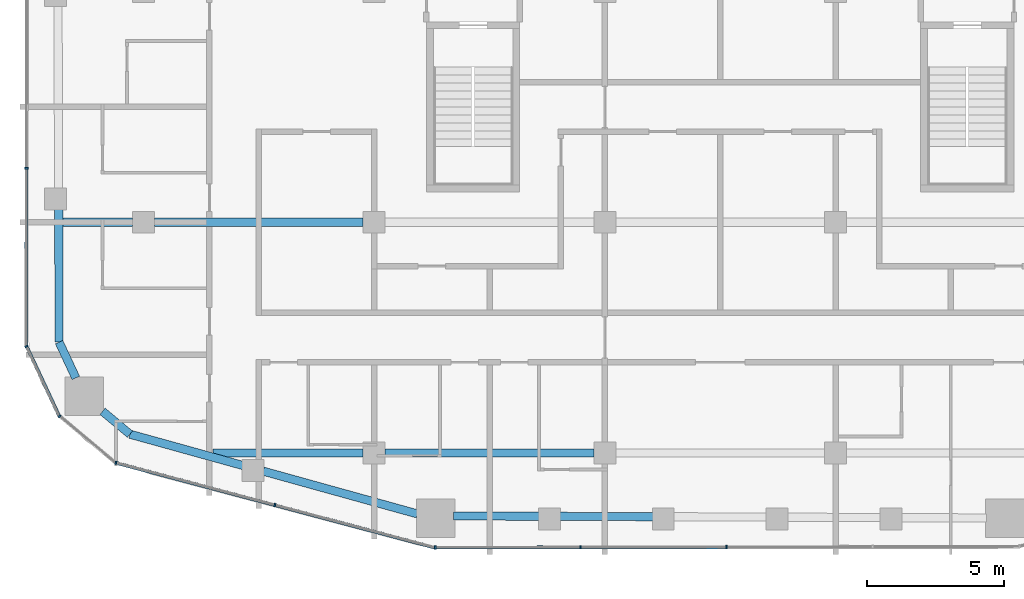
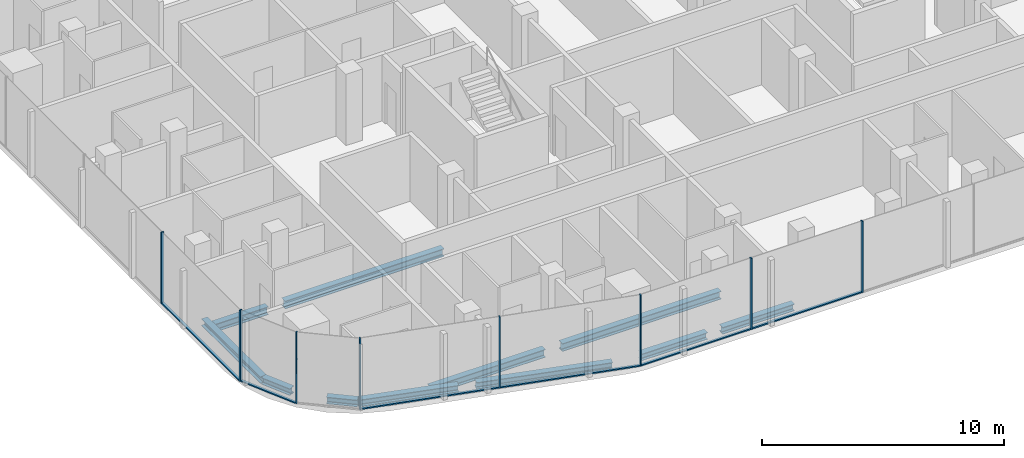
# One storey, part 2 of 22: 14 members, 11 beams, 5 elements without a shape of their own.
"""IFC4 building model written with IfcOpenShell, lengths in metres."""

from ifc_helpers import new_model, si_unit, direction, frame, origin, origin_2d, place, context, subcontext, project, spatial, rectangle, i_section, extrude, material, layer, layer_set, material_profile, profile_set, type_object, element, aggregate, save


model = new_model("IFC4")

# Units and contexts
model_context = context("Model", 3, precision=1e-05, world=origin(), true_north=direction((0.0, 1.0)))
body_context = subcontext(model_context, "Body", "Model", "MODEL_VIEW")
ifc_project = project(units=[si_unit("LENGTHUNIT", "METRE"), si_unit("AREAUNIT", "SQUARE_METRE"), si_unit("VOLUMEUNIT", "CUBIC_METRE"), si_unit("PLANEANGLEUNIT", "RADIAN"), si_unit("MASSUNIT", "GRAM", prefix="KILO")], contexts=[model_context])

# Site, building, storey
site_placement = place(None, origin())
site = spatial("IfcSite", under=ifc_project, at=site_placement, CompositionType="ELEMENT")
building_placement = place(site_placement, origin())
building = spatial("IfcBuilding", under=site, at=building_placement, Name="Marenta Gate Hotel Tower", CompositionType="ELEMENT")
storey_placement = place(building_placement, frame((0.0, 0.0, 187.699951171875)))
storey = spatial("IfcBuildingStorey", under=building, at=storey_placement, Name="L42", CompositionType="ELEMENT", Elevation=187.699951171875)

# Beams
ifc_material_1 = material(Name="Steel S355", Category="steel")
ifc_material_profile_1 = material_profile(ifc_material_1, i_section(OverallWidth=0.300048828125, OverallDepth=0.340087890625, WebThickness=0.011962890625, FlangeThickness=0.021484375, FilletRadius=0.027099609375, at=origin_2d()), Name="HEB 340")
ifc_profile_set_1 = profile_set([ifc_material_profile_1], Name="Steel S355")
beam_type_1 = type_object("IfcBeamType", Name="Edge beam HEB 340", PredefinedType="SPANDREL", material=ifc_profile_set_1)
beam_1_placement = place(storey_placement, frame((-11.02783203125, -27.42236328125, -0.429931640625), z_axis=(-0.963619240724, 0.267278803699, 0.0), x_axis=(-0.267278803699, -0.963619240724, 0.0)))
element("IfcBeam", 1, at=beam_1_placement, inside=storey, type_object=beam_type_1, Name="L42-EB-1", PredefinedType="SPANDREL", context=body_context, shape_type="SweptSolid", body=[
    extrude(i_section(OverallWidth=0.300048828125, OverallDepth=0.340087890625, WebThickness=0.011962890625, FlangeThickness=0.021484375, FilletRadius=0.027099609375, at=origin_2d()), origin(), (0.0, 0.0, 1.0), 5.82958984375),
])
beam_2_placement = place(storey_placement, frame((-17.3681640625, -25.663818359375, -0.429931640625), z_axis=(-0.963628037304, 0.267247087396, 0.0), x_axis=(-0.267247087396, -0.963628037304, 0.0)))
element("IfcBeam", 2, at=beam_2_placement, inside=storey, type_object=beam_type_1, Name="L42-EB-2", PredefinedType="SPANDREL", context=body_context, shape_type="SweptSolid", body=[
    extrude(i_section(OverallWidth=0.300048828125, OverallDepth=0.340087890625, WebThickness=0.011962890625, FlangeThickness=0.021484375, FilletRadius=0.027099609375, at=origin_2d()), origin(), (0.0, 0.0, 1.0), 4.284423828125),
])
beam_3_placement = place(storey_placement, frame((-21.496826171875, -24.518798828125, -0.429931640625), z_axis=(-0.767065103149, 0.641569269472, 0.0), x_axis=(-0.641569269472, -0.767065103149, 0.0)))
element("IfcBeam", 3, at=beam_3_placement, inside=storey, type_object=beam_type_1, Name="L42-EB-3", PredefinedType="SPANDREL", context=body_context, shape_type="SweptSolid", body=[
    extrude(i_section(OverallWidth=0.300048828125, OverallDepth=0.340087890625, WebThickness=0.011962890625, FlangeThickness=0.021484375, FilletRadius=0.027099609375, at=origin_2d()), origin(), (0.0, 0.0, 1.0), 1.299560546875),
])
beam_4_placement = place(storey_placement, frame((-23.466796875, -22.46923828125, -0.429931640625), z_axis=(-0.423341112024, 0.905970365338, 0.0), x_axis=(-0.905970365338, -0.423341112024, 0.0)))
element("IfcBeam", 4, at=beam_4_placement, inside=storey, type_object=beam_type_1, Name="L42-EB-4", PredefinedType="SPANDREL", context=body_context, shape_type="SweptSolid", body=[
    extrude(i_section(OverallWidth=0.300048828125, OverallDepth=0.340087890625, WebThickness=0.011962890625, FlangeThickness=0.021484375, FilletRadius=0.027099609375, at=origin_2d()), origin(), (0.0, 0.0, 1.0), 1.437255859375),
])
beam_5_placement = place(storey_placement, frame((-24.0751953125, -21.167236328125, -0.429931640625), z_axis=(-0.003318732666, 0.999994492992, 0.0), x_axis=(-0.999994492992, -0.003318732666, 0.0)))
element("IfcBeam", 5, at=beam_5_placement, inside=storey, type_object=beam_type_1, Name="L42-EB-5", PredefinedType="SPANDREL", context=body_context, shape_type="SweptSolid", body=[
    extrude(i_section(OverallWidth=0.300048828125, OverallDepth=0.340087890625, WebThickness=0.011962890625, FlangeThickness=0.021484375, FilletRadius=0.027099609375, at=origin_2d()), origin(), (0.0, 0.0, 1.0), 4.855224609375),
])
beam_6_placement = place(storey_placement, frame((-2.433349609375, -27.5234375, -0.429931640625), z_axis=(-0.999992599416, 0.003847221457, 0.0), x_axis=(-0.003847221457, -0.999992599416, 0.0)))
element("IfcBeam", 6, at=beam_6_placement, inside=storey, type_object=beam_type_1, Name="L42-EB-35", PredefinedType="SPANDREL", context=body_context, shape_type="SweptSolid", body=[
    extrude(i_section(OverallWidth=0.300048828125, OverallDepth=0.340087890625, WebThickness=0.011962890625, FlangeThickness=0.021484375, FilletRadius=0.027099609375, at=origin_2d()), origin(), (0.0, 0.0, 1.0), 3.4267578125),
])
beam_7_placement = place(storey_placement, frame((-6.580078125, -27.507568359375, -0.429931640625), z_axis=(-0.99999237665, 0.00390469495, 0.0), x_axis=(-0.00390469495, -0.99999237665, 0.0)))
element("IfcBeam", 7, at=beam_7_placement, inside=storey, type_object=beam_type_1, Name="L42-EB-36", PredefinedType="SPANDREL", context=body_context, shape_type="SweptSolid", body=[
    extrude(i_section(OverallWidth=0.300048828125, OverallDepth=0.340087890625, WebThickness=0.011962890625, FlangeThickness=0.021484375, FilletRadius=0.027099609375, at=origin_2d()), origin(), (0.0, 0.0, 1.0), 3.126220703125),
])
ifc_material_2 = material(Name="Steel S355", Category="steel")
ifc_material_profile_2 = material_profile(ifc_material_2, i_section(OverallWidth=0.300048828125, OverallDepth=0.39990234375, WebThickness=0.013427734375, FlangeThickness=0.02392578125, FilletRadius=0.027099609375, at=origin_2d()), Name="HEB 400")
ifc_profile_set_2 = profile_set([ifc_material_profile_2], Name="Steel S355")
beam_type_2 = type_object("IfcBeamType", Name="Girder HEB 400", PredefinedType="BEAM", material=ifc_profile_set_2)
beam_8_placement = place(storey_placement, frame((-18.479248046875, -25.199951171875, -0.4599609375), z_axis=(1.0, 0.0, 0.0), x_axis=(0.0, 1.0, 0.0)))
element("IfcBeam", 8, at=beam_8_placement, inside=storey, type_object=beam_type_2, Name="L42-GD-1", PredefinedType="BEAM", context=body_context, shape_type="SweptSolid", body=[
    extrude(i_section(OverallWidth=0.300048828125, OverallDepth=0.39990234375, WebThickness=0.013427734375, FlangeThickness=0.02392578125, FilletRadius=0.027099609375, at=origin_2d()), origin(), (0.0, 0.0, 1.0), 5.479248046875),
])
beam_9_placement = place(storey_placement, frame((-12.199951171875, -25.199951171875, -0.4599609375), z_axis=(1.0, 0.0, 0.0), x_axis=(0.0, 1.0, 0.0)))
element("IfcBeam", 9, at=beam_9_placement, inside=storey, type_object=beam_type_2, Name="L42-GD-2", PredefinedType="BEAM", context=body_context, shape_type="SweptSolid", body=[
    extrude(i_section(OverallWidth=0.300048828125, OverallDepth=0.39990234375, WebThickness=0.013427734375, FlangeThickness=0.02392578125, FilletRadius=0.027099609375, at=origin_2d()), origin(), (0.0, 0.0, 1.0), 7.599853515625),
])
beam_10_placement = place(storey_placement, frame((-23.939697265625, -16.800048828125, -0.4599609375), z_axis=(1.0, 0.0, 0.0), x_axis=(0.0, 1.0, 0.0)))
element("IfcBeam", 10, at=beam_10_placement, inside=storey, type_object=beam_type_2, Name="L42-GD-6", PredefinedType="BEAM", context=body_context, shape_type="SweptSolid", body=[
    extrude(i_section(OverallWidth=0.300048828125, OverallDepth=0.39990234375, WebThickness=0.013427734375, FlangeThickness=0.02392578125, FilletRadius=0.027099609375, at=origin_2d()), origin(), (0.0, 0.0, 1.0), 2.539794921875),
])
beam_11_placement = place(storey_placement, frame((-20.60009765625, -16.800048828125, -0.4599609375), z_axis=(1.0, 0.0, 0.0), x_axis=(0.0, 1.0, 0.0)))
element("IfcBeam", 11, at=beam_11_placement, inside=storey, type_object=beam_type_2, Name="L42-GD-7", PredefinedType="BEAM", context=body_context, shape_type="SweptSolid", body=[
    extrude(i_section(OverallWidth=0.300048828125, OverallDepth=0.39990234375, WebThickness=0.013427734375, FlangeThickness=0.02392578125, FilletRadius=0.027099609375, at=origin_2d()), origin(), (0.0, 0.0, 1.0), 7.60009765625),
])

# Curtain wall, member
ifc_material_3 = material(Name="Tinted insulated glass in bronze anodised frame", Category="glass")
ifc_layer = layer(ifc_material_3, 0.1201171875)
ifc_layer_set = layer_set([ifc_layer], Name="Tinted insulated glass in bronze anodised frame")
curtain_wall_type = type_object("IfcCurtainWallType", Name="Tower unitised curtain wall CW1", PredefinedType="NOTDEFINED", material=ifc_layer_set)
curtain_wall_1_placement = place(storey_placement, origin())
curtain_wall_1 = element("IfcCurtainWall", 12, at=curtain_wall_1_placement, inside=storey, type_object=curtain_wall_type, Name="CW1 run G03", PredefinedType="NOTDEFINED")
ifc_material_4 = material(Name="Bronze anodised aluminium", Category="aluminium")
ifc_material_profile_3 = material_profile(ifc_material_4, rectangle(XDim=0.1201171875, YDim=0.06005859375, at=origin_2d()), Name="Mullion CW1 60x120 bronze anodised aluminium")
ifc_profile_set_3 = profile_set([ifc_material_profile_3], Name="Bronze anodised aluminium")
member_type_1 = type_object("IfcMemberType", Name="Mullion CW1 60x120 bronze anodised aluminium", PredefinedType="MULLION", material=ifc_profile_set_3)
member_1_placement = place(storey_placement, frame((-25.262939453125, -14.833740234375, 0.0), z_axis=(0.0, 0.0, 1.0), x_axis=(0.99999877375, -0.001566045546, 0.0)))
member_1 = element("IfcMember", 13, at=member_1_placement, type_object=member_type_1, Name="CW1 mullion 6", PredefinedType="MULLION", context=body_context, shape_type="SweptSolid", body=[
    extrude(rectangle(XDim=0.1201171875, YDim=0.06005859375, at=origin_2d()), origin(), (0.0, 0.0, 1.0), 3.60009765625),
])

curtain_wall_2_placement = place(storey_placement, origin())
curtain_wall_2 = element("IfcCurtainWall", 14, at=curtain_wall_2_placement, inside=storey, type_object=curtain_wall_type, Name="CW1 run G04", PredefinedType="NOTDEFINED")
member_2_placement = place(storey_placement, frame((-25.26025390625, -21.321044921875, 0.0), z_axis=(0.0, 0.0, 1.0), x_axis=(0.905972194447, 0.42333719762, 0.0)))
member_2 = element("IfcMember", 15, at=member_2_placement, type_object=member_type_1, Name="CW1 mullion 1", PredefinedType="MULLION", context=body_context, shape_type="SweptSolid", body=[
    extrude(rectangle(XDim=0.1201171875, YDim=0.06005859375, at=origin_2d()), origin(), (0.0, 0.0, 1.0), 3.60009765625),
])

curtain_wall_3_placement = place(storey_placement, origin())
curtain_wall_3 = element("IfcCurtainWall", 16, at=curtain_wall_3_placement, inside=storey, type_object=curtain_wall_type, Name="CW1 run G05", PredefinedType="NOTDEFINED")
member_3_placement = place(storey_placement, frame((-24.059814453125, -23.85986328125, 0.0), z_axis=(0.0, 0.0, 1.0), x_axis=(0.641524739495, 0.767102345594, 0.0)))
member_3 = element("IfcMember", 17, at=member_3_placement, type_object=member_type_1, Name="CW1 mullion 1", PredefinedType="MULLION", context=body_context, shape_type="SweptSolid", body=[
    extrude(rectangle(XDim=0.1201171875, YDim=0.06005859375, at=origin_2d()), origin(), (0.0, 0.0, 1.0), 3.60009765625),
])
aggregate(curtain_wall_3, [member_3])

# Curtain wall, members
curtain_wall_4_placement = place(storey_placement, origin())
curtain_wall_4 = element("IfcCurtainWall", 18, at=curtain_wall_4_placement, inside=storey, type_object=curtain_wall_type, Name="CW1 run G06", PredefinedType="NOTDEFINED")
member_4_placement = place(storey_placement, frame((-22.00634765625, -25.560791015625, 0.0), z_axis=(0.0, 0.0, 1.0), x_axis=(0.257139197271, 0.966374375295, 0.0)))
member_4 = element("IfcMember", 19, at=member_4_placement, type_object=member_type_1, Name="CW1 mullion 1", PredefinedType="MULLION", context=body_context, shape_type="SweptSolid", body=[
    extrude(rectangle(XDim=0.1201171875, YDim=0.06005859375, at=origin_2d()), origin(), (0.0, 0.0, 1.0), 3.60009765625),
])
member_5_placement = place(storey_placement, frame((-16.220703125, -27.100341796875, 0.0), z_axis=(0.0, 0.0, 1.0), x_axis=(0.257139197271, 0.966374375295, 0.0)))
member_5 = element("IfcMember", 20, at=member_5_placement, type_object=member_type_1, Name="CW1 mullion 2", PredefinedType="MULLION", context=body_context, shape_type="SweptSolid", body=[
    extrude(rectangle(XDim=0.1201171875, YDim=0.06005859375, at=origin_2d()), origin(), (0.0, 0.0, 1.0), 3.60009765625),
])

curtain_wall_5_placement = place(storey_placement, origin())
curtain_wall_5 = element("IfcCurtainWall", 21, at=curtain_wall_5_placement, inside=storey, type_object=curtain_wall_type, Name="CW1 run G07", PredefinedType="NOTDEFINED")
member_6_placement = place(storey_placement, frame((-10.3759765625, -28.6474609375, 0.0), z_axis=(0.0, 0.0, 1.0), x_axis=(-0.001644757804, 0.999998647385, 0.0)))
member_6 = element("IfcMember", 22, at=member_6_placement, type_object=member_type_1, Name="CW1 mullion 1", PredefinedType="MULLION", context=body_context, shape_type="SweptSolid", body=[
    extrude(rectangle(XDim=0.1201171875, YDim=0.06005859375, at=origin_2d()), origin(), (0.0, 0.0, 1.0), 3.60009765625),
])
member_7_placement = place(storey_placement, frame((-5.086181640625, -28.638671875, 0.0), z_axis=(0.0, 0.0, 1.0), x_axis=(-0.001644757804, 0.999998647385, 0.0)))
member_7 = element("IfcMember", 23, at=member_7_placement, type_object=member_type_1, Name="CW1 mullion 2", PredefinedType="MULLION", context=body_context, shape_type="SweptSolid", body=[
    extrude(rectangle(XDim=0.1201171875, YDim=0.06005859375, at=origin_2d()), origin(), (0.0, 0.0, 1.0), 3.60009765625),
])
member_8_placement = place(storey_placement, frame((0.23388671875, -28.6298828125, 0.0), z_axis=(0.0, 0.0, 1.0), x_axis=(-0.001644757804, 0.999998647385, 0.0)))
member_8 = element("IfcMember", 24, at=member_8_placement, type_object=member_type_1, Name="CW1 mullion 3", PredefinedType="MULLION", context=body_context, shape_type="SweptSolid", body=[
    extrude(rectangle(XDim=0.1201171875, YDim=0.06005859375, at=origin_2d()), origin(), (0.0, 0.0, 1.0), 3.60009765625),
])

# Member
ifc_material_5 = material(Name="Bronze anodised aluminium", Category="aluminium")
ifc_material_profile_4 = material_profile(ifc_material_5, rectangle(XDim=0.1201171875, YDim=0.06005859375, at=origin_2d()), Name="Transom CW1 60x120 bronze anodised aluminium")
ifc_profile_set_4 = profile_set([ifc_material_profile_4], Name="Bronze anodised aluminium")
member_type_2 = type_object("IfcMemberType", Name="Transom CW1 60x120 bronze anodised aluminium", PredefinedType="USERDEFINED", material=ifc_profile_set_4)
member_9_placement = place(storey_placement, frame((-25.262939453125, -14.86376953125, 0.030029296875), z_axis=(-0.001556743377, -0.999998788274, 0.0), x_axis=(0.999998788274, -0.001556743377, 0.0)))
member_9 = element("IfcMember", 25, at=member_9_placement, type_object=member_type_2, Name="CW1 transom 6.1", ObjectType="TRANSOM", PredefinedType="USERDEFINED", context=body_context, shape_type="SweptSolid", body=[
    extrude(rectangle(XDim=0.1201171875, YDim=0.06005859375, at=origin_2d()), origin(), (0.0, 0.0, 1.0), 6.429931640625),
])

aggregate(curtain_wall_1, [member_1, member_9])

member_10_placement = place(storey_placement, frame((-25.24755859375, -21.34814453125, 0.030029296875), z_axis=(0.423274054321, -0.906001696984, 0.0), x_axis=(0.906001696984, 0.423274054321, 0.0)))
member_10 = element("IfcMember", 26, at=member_10_placement, type_object=member_type_2, Name="CW1 transom 1.1", ObjectType="TRANSOM", PredefinedType="USERDEFINED", context=body_context, shape_type="SweptSolid", body=[
    extrude(rectangle(XDim=0.1201171875, YDim=0.06005859375, at=origin_2d()), origin(), (0.0, 0.0, 1.0), 2.751220703125),
])

aggregate(curtain_wall_2, [member_2, member_10])

member_11_placement = place(storey_placement, frame((-21.977294921875, -25.568603515625, 0.030029296875), z_axis=(0.966378365457, -0.257124201073, 0.0), x_axis=(0.257124201073, 0.966378365457, 0.0)))
member_11 = element("IfcMember", 27, at=member_11_placement, type_object=member_type_2, Name="CW1 transom 1.1", ObjectType="TRANSOM", PredefinedType="USERDEFINED", context=body_context, shape_type="SweptSolid", body=[
    extrude(rectangle(XDim=0.1201171875, YDim=0.06005859375, at=origin_2d()), origin(), (0.0, 0.0, 1.0), 5.9267578125),
])

member_12_placement = place(storey_placement, frame((-16.191650390625, -27.10791015625, 0.030029296875), z_axis=(0.966371521912, -0.257149920549, 0.0), x_axis=(0.257149920549, 0.966371521912, 0.0)))
member_12 = element("IfcMember", 28, at=member_12_placement, type_object=member_type_2, Name="CW1 transom 2.1", ObjectType="TRANSOM", PredefinedType="USERDEFINED", context=body_context, shape_type="SweptSolid", body=[
    extrude(rectangle(XDim=0.1201171875, YDim=0.06005859375, at=origin_2d()), origin(), (0.0, 0.0, 1.0), 5.987060546875),
])

aggregate(curtain_wall_4, [member_4, member_5, member_11, member_12])

member_13_placement = place(storey_placement, frame((-10.345947265625, -28.6474609375, 0.030029296875), z_axis=(0.999998665295, 0.001633832195, 0.0), x_axis=(-0.001633832195, 0.999998665295, 0.0)))
member_13 = element("IfcMember", 29, at=member_13_placement, type_object=member_type_2, Name="CW1 transom 1.1", ObjectType="TRANSOM", PredefinedType="USERDEFINED", context=body_context, shape_type="SweptSolid", body=[
    extrude(rectangle(XDim=0.1201171875, YDim=0.06005859375, at=origin_2d()), origin(), (0.0, 0.0, 1.0), 5.22998046875),
])

member_14_placement = place(storey_placement, frame((-5.05615234375, -28.638671875, 0.030029296875), z_axis=(0.999998680491, 0.001624504703, 0.0), x_axis=(-0.001624504703, 0.999998680491, 0.0)))
member_14 = element("IfcMember", 30, at=member_14_placement, type_object=member_type_2, Name="CW1 transom 2.1", ObjectType="TRANSOM", PredefinedType="USERDEFINED", context=body_context, shape_type="SweptSolid", body=[
    extrude(rectangle(XDim=0.1201171875, YDim=0.06005859375, at=origin_2d()), origin(), (0.0, 0.0, 1.0), 5.260009765625),
])

aggregate(curtain_wall_5, [member_6, member_7, member_8, member_13, member_14])

save(model, "model.ifc")
